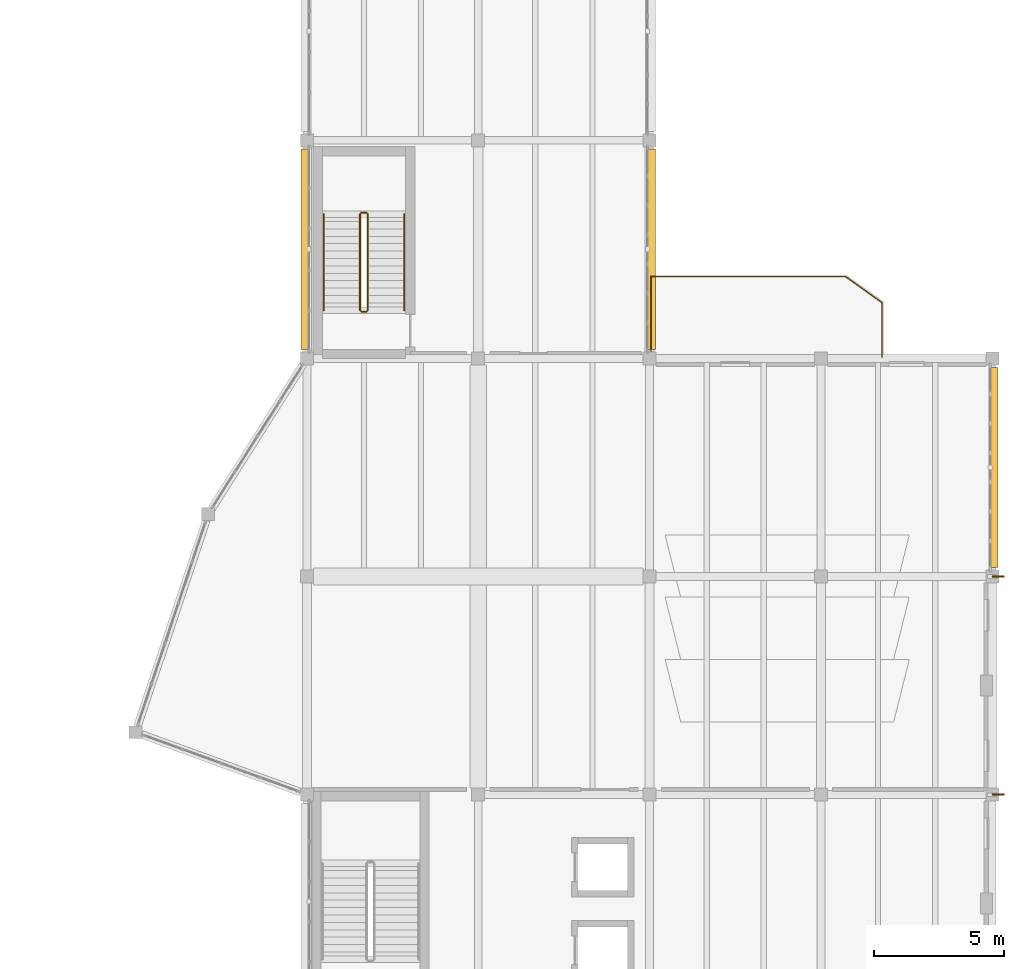
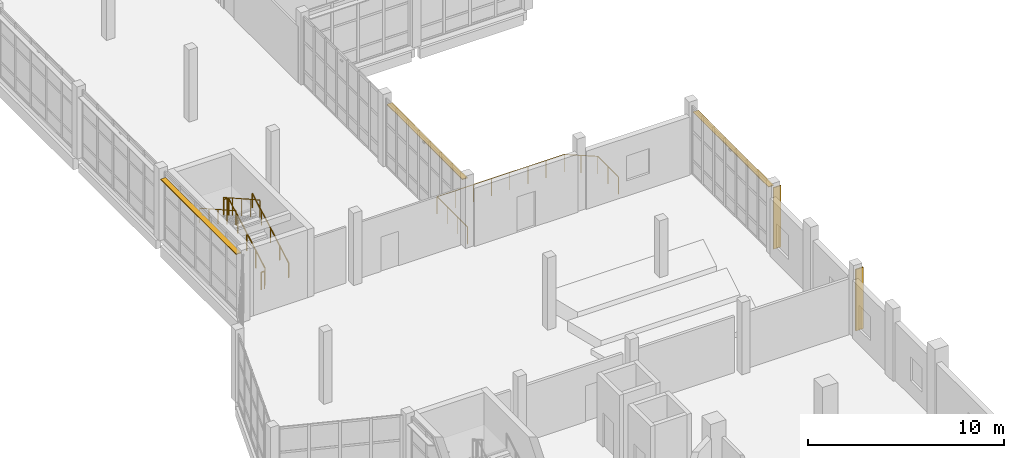
# One storey, part 75 of 76: 7 railings, 5 shading devices.
"""IFC4 building model written with IfcOpenShell, lengths in metres."""

from ifc_helpers import new_model, si_unit, direction, frame, origin, origin_2d, place, context, subcontext, project, spatial, rectangle, circle, extrude, material, layer, layer_set, type_object, element, save


model = new_model("IFC4")

# Units and contexts
model_context = context("Model", 3, precision=1e-05, world=origin(), true_north=direction((0.0, 1.0)))
body_context = subcontext(model_context, "Body", "Model", "MODEL_VIEW")
ifc_project = project(units=[si_unit("LENGTHUNIT", "METRE"), si_unit("AREAUNIT", "SQUARE_METRE"), si_unit("VOLUMEUNIT", "CUBIC_METRE"), si_unit("PLANEANGLEUNIT", "RADIAN"), si_unit("MASSUNIT", "GRAM", prefix="KILO")], contexts=[model_context])

# Site, building, storey
site_placement = place(None, origin())
site = spatial("IfcSite", under=ifc_project, at=site_placement, CompositionType="ELEMENT")
building_placement = place(site_placement, origin())
building = spatial("IfcBuilding", under=site, at=building_placement, Name="Qaldarim Faculty of Natural and Applied Sciences", CompositionType="ELEMENT")
storey_placement = place(building_placement, frame((0.0, 0.0, 9.89990234375)))
storey = spatial("IfcBuildingStorey", under=building, at=storey_placement, Name="L02", CompositionType="ELEMENT", Elevation=9.89990234375)

# Railings
ifc_material_1 = material(Name="Architectural stainless steel 316", Category="steel")
railing_type_1 = type_object("IfcRailingType", Name="ExteriorGuardBalustrade-1100", PredefinedType="BALUSTRADE", material=ifc_material_1)
railing_1_placement = place(storey_placement, frame((165.050048828125, 84.050048828125, 0.0)))
element("IfcRailing", 1, at=railing_1_placement, inside=storey, type_object=railing_type_1, Name="Safety guard balustrade GRD-COURTBAL-L02", PredefinedType="BALUSTRADE", context=body_context, shape_type="SweptSolid", body=[
    extrude(circle(Radius=0.02392578125, at=origin_2d()), frame((0.0, 0.00390625, 1.076171875), z_axis=(0.0, 1.0, 0.0), x_axis=(-1.0, 0.0, 0.0)), (0.0, 0.0, 1.0), 3.091796875),
    extrude(circle(Radius=0.02392578125, at=origin_2d()), frame((0.00390625, 3.099853515625, 1.076171875), z_axis=(1.0, 0.0, 0.0), x_axis=(0.0, 1.0, 0.0)), (0.0, 0.0, 1.0), 7.491943359375),
    extrude(circle(Radius=0.02392578125, at=origin_2d()), frame((7.503173828125, 3.097412109375, 1.076171875), z_axis=(0.813714293681, -0.581265041318, 0.0), x_axis=(0.581265041318, 0.813714293681, 0.0)), (0.0, 0.0, 1.0), 1.71240234375),
    extrude(circle(Radius=0.02392578125, at=origin_2d()), frame((8.89990234375, 2.095947265625, 1.076171875), z_axis=(0.0, -1.0, 0.0), x_axis=(1.0, 0.0, 0.0)), (0.0, 0.0, 1.0), 2.091796875),
    extrude(circle(Radius=0.02099609375, at=origin_2d()), origin(), (0.0, 0.0, 1.0), 1.052001953125),
    extrude(circle(Radius=0.02099609375, at=origin_2d()), frame((0.0, 1.033203125, 0.0)), (0.0, 0.0, 1.0), 1.052001953125),
    extrude(circle(Radius=0.02099609375, at=origin_2d()), frame((0.0, 2.066650390625, 0.0)), (0.0, 0.0, 1.0), 1.052001953125),
    extrude(circle(Radius=0.02099609375, at=origin_2d()), frame((0.0, 3.099853515625, 0.0)), (0.0, 0.0, 1.0), 1.052001953125),
    extrude(circle(Radius=0.02099609375, at=origin_2d()), frame((1.071533203125, 3.099853515625, 0.0)), (0.0, 0.0, 1.0), 1.052001953125),
    extrude(circle(Radius=0.02099609375, at=origin_2d()), frame((2.142822265625, 3.099853515625, 0.0)), (0.0, 0.0, 1.0), 1.052001953125),
    extrude(circle(Radius=0.02099609375, at=origin_2d()), frame((3.21435546875, 3.099853515625, 0.0)), (0.0, 0.0, 1.0), 1.052001953125),
    extrude(circle(Radius=0.02099609375, at=origin_2d()), frame((4.28564453125, 3.099853515625, 0.0)), (0.0, 0.0, 1.0), 1.052001953125),
    extrude(circle(Radius=0.02099609375, at=origin_2d()), frame((5.357177734375, 3.099853515625, 0.0)), (0.0, 0.0, 1.0), 1.052001953125),
    extrude(circle(Radius=0.02099609375, at=origin_2d()), frame((6.428466796875, 3.099853515625, 0.0)), (0.0, 0.0, 1.0), 1.052001953125),
    extrude(circle(Radius=0.02099609375, at=origin_2d()), frame((7.5, 3.099853515625, 0.0)), (0.0, 0.0, 1.0), 1.052001953125),
    extrude(circle(Radius=0.02099609375, at=origin_2d()), frame((8.199951171875, 2.599853515625, 0.0)), (0.0, 0.0, 1.0), 1.052001953125),
    extrude(circle(Radius=0.02099609375, at=origin_2d()), frame((8.89990234375, 2.099853515625, 0.0)), (0.0, 0.0, 1.0), 1.052001953125),
    extrude(circle(Radius=0.02099609375, at=origin_2d()), frame((8.89990234375, 1.0498046875, 0.0)), (0.0, 0.0, 1.0), 1.052001953125),
    extrude(circle(Radius=0.02099609375, at=origin_2d()), frame((8.89990234375, 0.0, 0.0)), (0.0, 0.0, 1.0), 1.052001953125),
])
railing_type_2 = type_object("IfcRailingType", Name="GuardBalustrade-1100", PredefinedType="BALUSTRADE", material=ifc_material_1)
railing_2_placement = place(storey_placement, frame((154.14990234375, 85.85009765625, 0.16015625)))
element("IfcRailing", 2, at=railing_2_placement, inside=storey, type_object=railing_type_2, Name="ST-C2 L02 stair well guard 1", PredefinedType="BALUSTRADE", context=body_context, shape_type="SweptSolid", body=[
    extrude(circle(Radius=0.02392578125, at=origin_2d()), frame((0.0, 0.0, 1.076171875), z_axis=(0.0, 0.87098476549, 0.491310022576), x_axis=(-1.0, 0.0, 0.0)), (0.0, 0.0, 1.0), 4.253662109375),
    extrude(circle(Radius=0.02099609375, at=origin_2d()), origin(), (0.0, 0.0, 1.0), 1.052001953125),
    extrude(circle(Radius=0.02099609375, at=origin_2d()), frame((0.0, 0.92626953125, 0.5224609375)), (0.0, 0.0, 1.0), 1.052001953125),
    extrude(circle(Radius=0.02099609375, at=origin_2d()), frame((0.0, 1.8525390625, 1.044921875)), (0.0, 0.0, 1.0), 1.052001953125),
    extrude(circle(Radius=0.02099609375, at=origin_2d()), frame((0.0, 2.778564453125, 1.5673828125)), (0.0, 0.0, 1.0), 1.052001953125),
    extrude(circle(Radius=0.02099609375, at=origin_2d()), frame((0.0, 3.704833984375, 2.08984375)), (0.0, 0.0, 1.0), 1.052001953125),
])
railing_3_placement = place(storey_placement, frame((154.10009765625, 89.60498046875, 2.25)))
element("IfcRailing", 3, at=railing_3_placement, inside=storey, type_object=railing_type_2, Name="ST-C2 L02 stair well guard 2", PredefinedType="BALUSTRADE", context=body_context, shape_type="SweptSolid", body=[
    extrude(circle(Radius=0.02392578125, at=origin_2d()), frame((0.0, 0.0, 1.076171875), z_axis=(-1.0, 0.0, 0.0), x_axis=(0.0, -1.0, 0.0)), (0.0, 0.0, 1.0), 0.2001953125),
    extrude(circle(Radius=0.02099609375, at=origin_2d()), origin(), (0.0, 0.0, 1.0), 1.052001953125),
    extrude(circle(Radius=0.02099609375, at=origin_2d()), frame((-0.2001953125, 0.0, 0.0)), (0.0, 0.0, 1.0), 1.052001953125),
])
railing_4_placement = place(storey_placement, frame((153.85009765625, 89.554931640625, 2.41015625)))
element("IfcRailing", 4, at=railing_4_placement, inside=storey, type_object=railing_type_2, Name="ST-C2 L02 stair well guard 3", PredefinedType="BALUSTRADE", context=body_context, shape_type="SweptSolid", body=[
    extrude(circle(Radius=0.02392578125, at=origin_2d()), frame((0.0, 0.0, 1.076171875), z_axis=(0.0, -0.87098476549, 0.491310022576), x_axis=(1.0, 0.0, 0.0)), (0.0, 0.0, 1.0), 4.253662109375),
    extrude(circle(Radius=0.02099609375, at=origin_2d()), origin(), (0.0, 0.0, 1.0), 1.052001953125),
    extrude(circle(Radius=0.02099609375, at=origin_2d()), frame((0.0, -0.92626953125, 0.5224609375)), (0.0, 0.0, 1.0), 1.052001953125),
    extrude(circle(Radius=0.02099609375, at=origin_2d()), frame((0.0, -1.8525390625, 1.044921875)), (0.0, 0.0, 1.0), 1.052001953125),
    extrude(circle(Radius=0.02099609375, at=origin_2d()), frame((0.0, -2.778564453125, 1.5673828125)), (0.0, 0.0, 1.0), 1.052001953125),
    extrude(circle(Radius=0.02099609375, at=origin_2d()), frame((0.0, -3.704833984375, 2.08984375)), (0.0, 0.0, 1.0), 1.052001953125),
])
railing_5_placement = place(storey_placement, frame((154.10009765625, 85.800048828125, 0.0)))
element("IfcRailing", 5, at=railing_5_placement, inside=storey, type_object=railing_type_2, Name="ST-C2 L02 stair well guard 4", PredefinedType="BALUSTRADE", context=body_context, shape_type="SweptSolid", body=[
    extrude(circle(Radius=0.02392578125, at=origin_2d()), frame((0.0, 0.0, 1.076171875), z_axis=(-1.0, 0.0, 0.0), x_axis=(0.0, -1.0, 0.0)), (0.0, 0.0, 1.0), 0.2001953125),
    extrude(circle(Radius=0.02099609375, at=origin_2d()), origin(), (0.0, 0.0, 1.0), 1.052001953125),
    extrude(circle(Radius=0.02099609375, at=origin_2d()), frame((-0.2001953125, 0.0, 0.0)), (0.0, 0.0, 1.0), 1.052001953125),
])

# Shading devices
ifc_material_2 = material(Name="Champagne anodised aluminium AW-6063", Category="aluminium")
ifc_layer_1 = layer(ifc_material_2, 0.050048828125)
ifc_layer_set_1 = layer_set([ifc_layer_1], Name="Champagne anodised aluminium AW-6063")
shading_device_type_1 = type_object("IfcShadingDeviceType", Name="SolarLouvre-ALU300x50", PredefinedType="JALOUSIE", material=ifc_layer_set_1)
for number, where, z_axis, x_axis, name in (
    (6, (151.72998046875, 88.199951171875, 3.865234375), (0.0, 0.0, 1.0), (0.0, 1.0, 0.0), "Horizontal solar louvre L02 W X24Y11"),
    (7, (165.070068359375, 88.199951171875, 3.865234375), (0.0, 0.0, 1.0), (0.0, 1.0, 0.0), "Horizontal solar louvre L02 E X25Y11"),
    (8, (178.27001953125, 79.800048828125, 3.865234375), (0.0, 0.0, 1.0), (0.0, 1.0, 0.0), "Horizontal solar louvre L02 E X27Y10"),
):
    element("IfcShadingDevice", number, at=place(storey_placement, frame(where, z_axis=z_axis, x_axis=x_axis)), inside=storey, type_object=shading_device_type_1, Name=name, PredefinedType="JALOUSIE", context=body_context, shape_type="SweptSolid", body=[
        extrude(rectangle(XDim=7.7099609375, YDim=0.300048828125, at=origin_2d()), origin(), (0.0, 0.0, 1.0), 0.050048828125),
    ])

# Railings
railing_type_3 = type_object("IfcRailingType", Name="StairHandrail-920", PredefinedType="HANDRAIL", material=ifc_material_1)
railing_6_placement = place(storey_placement, frame((155.550048828125, 85.85009765625, 0.16015625)))
element("IfcRailing", 9, at=railing_6_placement, inside=storey, type_object=railing_type_3, Name="ST-C2 L02 stair handrail 1", PredefinedType="HANDRAIL", context=body_context, shape_type="SweptSolid", body=[
    extrude(circle(Radius=0.02392578125, at=origin_2d()), frame((0.0, 0.0, 0.89599609375), z_axis=(0.0, 0.87098476549, 0.491310022576), x_axis=(-1.0, 0.0, 0.0)), (0.0, 0.0, 1.0), 4.253662109375),
    extrude(circle(Radius=0.02099609375, at=origin_2d()), origin(), (0.0, 0.0, 1.0), 0.871826171875),
    extrude(circle(Radius=0.02099609375, at=origin_2d()), frame((0.0, 0.92626953125, 0.5224609375)), (0.0, 0.0, 1.0), 0.871826171875),
    extrude(circle(Radius=0.02099609375, at=origin_2d()), frame((0.0, 1.8525390625, 1.044921875)), (0.0, 0.0, 1.0), 0.871826171875),
    extrude(circle(Radius=0.02099609375, at=origin_2d()), frame((0.0, 2.778564453125, 1.5673828125)), (0.0, 0.0, 1.0), 0.871826171875),
    extrude(circle(Radius=0.02099609375, at=origin_2d()), frame((0.0, 3.704833984375, 2.08984375)), (0.0, 0.0, 1.0), 0.871826171875),
])
railing_7_placement = place(storey_placement, frame((152.449951171875, 89.554931640625, 2.41015625)))
element("IfcRailing", 10, at=railing_7_placement, inside=storey, type_object=railing_type_3, Name="ST-C2 L02 stair handrail 2", PredefinedType="HANDRAIL", context=body_context, shape_type="SweptSolid", body=[
    extrude(circle(Radius=0.02392578125, at=origin_2d()), frame((0.0, 0.0, 0.89599609375), z_axis=(0.0, -0.87098476549, 0.491310022576), x_axis=(1.0, 0.0, 0.0)), (0.0, 0.0, 1.0), 4.253662109375),
    extrude(circle(Radius=0.02099609375, at=origin_2d()), origin(), (0.0, 0.0, 1.0), 0.871826171875),
    extrude(circle(Radius=0.02099609375, at=origin_2d()), frame((0.0, -0.92626953125, 0.5224609375)), (0.0, 0.0, 1.0), 0.871826171875),
    extrude(circle(Radius=0.02099609375, at=origin_2d()), frame((0.0, -1.8525390625, 1.044921875)), (0.0, 0.0, 1.0), 0.871826171875),
    extrude(circle(Radius=0.02099609375, at=origin_2d()), frame((0.0, -2.778564453125, 1.5673828125)), (0.0, 0.0, 1.0), 0.871826171875),
    extrude(circle(Radius=0.02099609375, at=origin_2d()), frame((0.0, -3.704833984375, 2.08984375)), (0.0, 0.0, 1.0), 0.871826171875),
])

# Shading devices
ifc_layer_2 = layer(ifc_material_2, 0.06005859375)
ifc_layer_set_2 = layer_set([ifc_layer_2], Name="Champagne anodised aluminium AW-6063")
shading_device_type_2 = type_object("IfcShadingDeviceType", Name="VerticalSunFin-ALU450x60", PredefinedType="SHUTTER", material=ifc_layer_set_2)
for number, where, z_axis, x_axis, name in (
    (11, (178.425048828125, 67.199951171875, 0.2001953125), (0.0, 0.0, 1.0), (1.0, 0.0, 0.0), "Vertical solar fin FIN-L02-X28Y09"),
    (12, (178.425048828125, 75.60009765625, 0.2001953125), (0.0, 0.0, 1.0), (1.0, 0.0, 0.0), "Vertical solar fin FIN-L02-X28Y10"),
):
    element("IfcShadingDevice", number, at=place(storey_placement, frame(where, z_axis=z_axis, x_axis=x_axis)), inside=storey, type_object=shading_device_type_2, Name=name, PredefinedType="SHUTTER", context=body_context, shape_type="SweptSolid", body=[
        extrude(rectangle(XDim=0.449951171875, YDim=0.06005859375, at=origin_2d()), origin(), (0.0, 0.0, 1.0), 3.840087890625),
    ])

save(model, "model.ifc")
